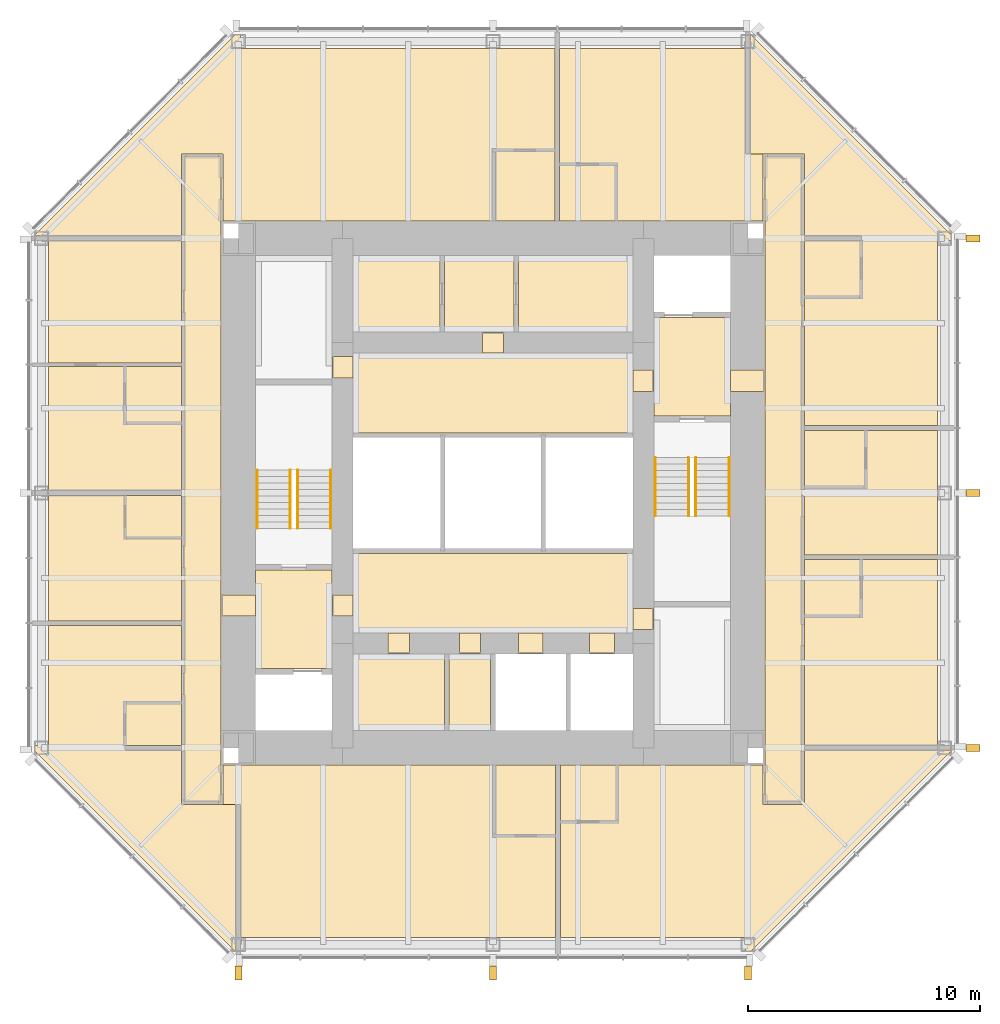
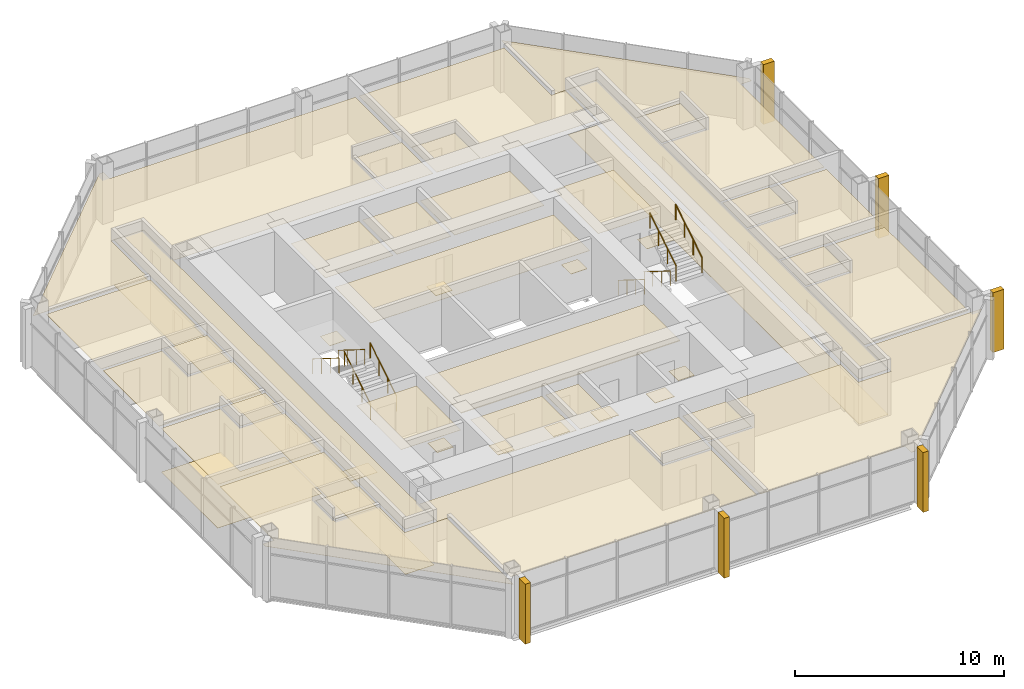
# One storey, part 11 of 11: 52 coverings, 8 railings.
"""IFC4 building model written with IfcOpenShell, lengths in metres."""

from ifc_helpers import new_model, si_unit, direction, frame, origin, origin_2d, place, context, subcontext, project, spatial, polyline, rectangle, circle, outline, extrude, material, layer, layer_set, type_object, element, save


model = new_model("IFC4")

# Units and contexts
model_context = context("Model", 3, precision=1e-05, world=origin(), true_north=direction((0.0, 1.0)))
body_context = subcontext(model_context, "Body", "Model", "MODEL_VIEW")
ifc_project = project(units=[si_unit("LENGTHUNIT", "METRE"), si_unit("AREAUNIT", "SQUARE_METRE"), si_unit("VOLUMEUNIT", "CUBIC_METRE"), si_unit("PLANEANGLEUNIT", "RADIAN"), si_unit("MASSUNIT", "GRAM", prefix="KILO")], contexts=[model_context])

# Site, building, storey
site_placement = place(None, origin())
site = spatial("IfcSite", under=ifc_project, at=site_placement, CompositionType="ELEMENT")
building_placement = place(site_placement, origin())
building = spatial("IfcBuilding", under=site, at=building_placement, Name="Trevanion Tower", CompositionType="ELEMENT")
storey_placement = place(building_placement, frame((0.0, 0.0, 246.699951171875)))
storey = spatial("IfcBuildingStorey", under=building, at=storey_placement, Name="L60", CompositionType="ELEMENT", Elevation=246.699951171875)

# Coverings
ifc_material_1 = material(Name="Fibrous plaster coffers on suspended steel grid", Category="steel")
ifc_layer_1 = layer(ifc_material_1, 0.050048828125)
ifc_layer_set_1 = layer_set([ifc_layer_1], Name="CL1 coffered fibrous plaster ceiling 50")
covering_type_1 = type_object("IfcCoveringType", Name="CL1 coffered fibrous plaster ceiling 50", PredefinedType="CEILING", material=ifc_layer_set_1)
covering_1_placement = place(storey_placement, frame((0.0, 0.0, 2.429931640625)))
element("IfcCovering", 1, at=covering_1_placement, inside=storey, type_object=covering_type_1, Name="CL1 L60-LBS", PredefinedType="CEILING", context=body_context, shape_type="SweptSolid", body=[
    extrude(outline(polyline([(6.050048828125, -6.050048828125), (6.050048828125, -2.60009765625), (-6.050048828125, -2.60009765625), (-6.050048828125, -6.050048828125), (6.050048828125, -6.050048828125)])), origin(), (0.0, 0.0, 1.0), 0.050048828125),
])
ifc_material_2 = material(Name="Mineral fibre acoustic tiles in exposed grid", Category="mineral fibre")
ifc_layer_2 = layer(ifc_material_2, 0.02001953125)
ifc_layer_set_2 = layer_set([ifc_layer_2], Name="CL2 acoustic tile ceiling 20")
covering_type_2 = type_object("IfcCoveringType", Name="CL2 acoustic tile ceiling 20", PredefinedType="CEILING", material=ifc_layer_set_2)
covering_2_placement = place(storey_placement, frame((0.0, 0.0, 2.4599609375)))
element("IfcCovering", 2, at=covering_2_placement, inside=storey, type_object=covering_type_2, Name="CL2 L60-LBN", PredefinedType="CEILING", context=body_context, shape_type="SweptSolid", body=[
    extrude(outline(polyline([(6.050048828125, 2.60009765625), (6.050048828125, 6.050048828125), (-6.050048828125, 6.050048828125), (-6.050048828125, 2.60009765625), (6.050048828125, 2.60009765625)])), origin(), (0.0, 0.0, 1.0), 0.02001953125),
])
covering_3_placement = place(storey_placement, frame((0.0, 0.0, 2.4599609375)))
element("IfcCovering", 3, at=covering_3_placement, inside=storey, type_object=covering_type_2, Name="CL2 L60-HKC", PredefinedType="CEILING", context=body_context, shape_type="SweptSolid", body=[
    extrude(outline(polyline([(0.89990234375, 6.949951171875), (0.89990234375, 10.25), (-2.10009765625, 10.25), (-2.10009765625, 6.949951171875), (0.89990234375, 6.949951171875)])), origin(), (0.0, 0.0, 1.0), 0.02001953125),
])
covering_4_placement = place(storey_placement, frame((0.0, 0.0, 2.633056640625)))
element("IfcCovering", 4, at=covering_4_placement, inside=storey, type_object=covering_type_2, Name="CL2 L60-CO1", PredefinedType="CEILING", context=body_context, shape_type="SweptSolid", body=[
    extrude(outline(polyline([(-11.75, 14.550048828125), (-11.75, -13.35009765625), (-13.35009765625, -13.35009765625), (-13.35009765625, 14.550048828125), (-11.75, 14.550048828125)])), origin(), (0.0, 0.0, 1.0), 0.02001953125),
])
covering_5_placement = place(storey_placement, frame((0.0, 0.0, 2.633056640625)))
element("IfcCovering", 5, at=covering_5_placement, inside=storey, type_object=covering_type_2, Name="CL2 L60-CO2", PredefinedType="CEILING", context=body_context, shape_type="SweptSolid", body=[
    extrude(outline(polyline([(11.75, -13.35009765625), (11.75, 14.550048828125), (13.35009765625, 14.550048828125), (13.35009765625, -13.35009765625), (11.75, -13.35009765625)])), origin(), (0.0, 0.0, 1.0), 0.02001953125),
])
ifc_material_3 = material(Name="Gypsum plasterboard on suspended metal furring", Category="gypsum")
ifc_layer_3 = layer(ifc_material_3, 0.012939453125)
ifc_layer_set_3 = layer_set([ifc_layer_3], Name="CL3 plasterboard ceiling 13")
covering_type_3 = type_object("IfcCoveringType", Name="CL3 plasterboard ceiling 13", PredefinedType="CEILING", material=ifc_layer_set_3)
covering_6_placement = place(storey_placement, frame((0.0, 0.0, 2.699951171875)))
element("IfcCovering", 6, at=covering_6_placement, inside=storey, type_object=covering_type_3, Name="CL3 L60-FV1", PredefinedType="CEILING", context=body_context, shape_type="SweptSolid", body=[
    extrude(outline(polyline([(10.25, 3.324951171875), (10.25, 7.574951171875), (6.949951171875, 7.574951171875), (6.949951171875, 3.324951171875), (10.25, 3.324951171875)])), origin(), (0.0, 0.0, 1.0), 0.01318359375),
])
covering_7_placement = place(storey_placement, frame((0.0, 0.0, 2.699951171875)))
element("IfcCovering", 7, at=covering_7_placement, inside=storey, type_object=covering_type_3, Name="CL3 L60-FV2", PredefinedType="CEILING", context=body_context, shape_type="SweptSolid", body=[
    extrude(outline(polyline([(-10.25, -3.324951171875), (-10.25, -7.574951171875), (-6.949951171875, -7.574951171875), (-6.949951171875, -3.324951171875), (-10.25, -3.324951171875)])), origin(), (0.0, 0.0, 1.0), 0.01318359375),
])
covering_8_placement = place(storey_placement, frame((0.0, 0.0, 2.551025390625)))
element("IfcCovering", 8, at=covering_8_placement, inside=storey, type_object=covering_type_3, Name="CL3 L60-GJ", PredefinedType="CEILING", context=body_context, shape_type="SweptSolid", body=[
    extrude(outline(polyline([(13.449951171875, -5.324951171875), (15.89990234375, -5.324951171875), (15.89990234375, -2.875), (19.199951171875, -2.875), (19.199951171875, -10.89990234375), (13.449951171875, -10.89990234375), (13.449951171875, -5.324951171875)])), origin(), (0.0, 0.0, 1.0), 0.012939453125),
])
covering_9_placement = place(storey_placement, frame((0.0, 0.0, 2.551025390625)))
element("IfcCovering", 9, at=covering_9_placement, inside=storey, type_object=covering_type_3, Name="CL3 L60-GA", PredefinedType="CEILING", context=body_context, shape_type="SweptSolid", body=[
    extrude(outline(polyline([(13.449951171875, 0.257080078125), (16.10009765625, 0.257080078125), (16.10009765625, 2.70703125), (19.199951171875, 2.70703125), (19.199951171875, -2.675048828125), (13.449951171875, -2.675048828125), (13.449951171875, 0.257080078125)])), origin(), (0.0, 0.0, 1.0), 0.012939453125),
])
covering_10_placement = place(storey_placement, frame((0.0, 0.0, 2.551025390625)))
element("IfcCovering", 10, at=covering_10_placement, inside=storey, type_object=covering_type_3, Name="CL3 L60-GJ2", PredefinedType="CEILING", context=body_context, shape_type="SweptSolid", body=[
    extrude(outline(polyline([(11.10009765625, 14.64990234375), (11.10009765625, 19.800048828125), (11.124267578125, 19.800048828125), (19.800048828125, 11.124267578125), (19.800048828125, 10.89990234375), (19.199951171875, 10.89990234375), (19.199951171875, 2.906982421875), (13.449951171875, 2.906982421875), (13.449951171875, 8.449951171875), (15.89990234375, 8.449951171875), (15.89990234375, 10.949951171875), (13.449951171875, 10.949951171875), (13.449951171875, 14.64990234375), (11.10009765625, 14.64990234375)])), origin(), (0.0, 0.0, 1.0), 0.012939453125),
])
covering_11_placement = place(storey_placement, frame((0.0, 0.0, 2.551025390625)))
element("IfcCovering", 11, at=covering_11_placement, inside=storey, type_object=covering_type_3, Name="CL3 L60-GJ3", PredefinedType="CEILING", context=body_context, shape_type="SweptSolid", body=[
    extrude(outline(polyline([(2.875, 19.199951171875), (10.89990234375, 19.199951171875), (10.89990234375, 14.64990234375), (11.64990234375, 14.64990234375), (11.64990234375, 11.75), (5.324951171875, 11.75), (5.324951171875, 14.199951171875), (2.875, 14.199951171875), (2.875, 19.199951171875)])), origin(), (0.0, 0.0, 1.0), 0.012939453125),
])
covering_12_placement = place(storey_placement, frame((0.0, 0.0, 2.551025390625)))
element("IfcCovering", 12, at=covering_12_placement, inside=storey, type_object=covering_type_3, Name="CL3 L60-GY", PredefinedType="CEILING", context=body_context, shape_type="SweptSolid", body=[
    extrude(outline(polyline([(-13.449951171875, 11.10009765625), (-19.800048828125, 11.10009765625), (-19.800048828125, 11.124267578125), (-11.124267578125, 19.800048828125), (-10.89990234375, 19.800048828125), (-10.89990234375, 19.199951171875), (2.675048828125, 19.199951171875), (2.675048828125, 14.800048828125), (0.02490234375, 14.800048828125), (0.02490234375, 11.75), (-11.64990234375, 11.75), (-11.64990234375, 14.64990234375), (-13.449951171875, 14.64990234375), (-13.449951171875, 11.10009765625)])), origin(), (0.0, 0.0, 1.0), 0.012939453125),
])
covering_13_placement = place(storey_placement, frame((0.0, 0.0, 2.551025390625)))
element("IfcCovering", 13, at=covering_13_placement, inside=storey, type_object=covering_type_3, Name="CL3 L60-SL", PredefinedType="CEILING", context=body_context, shape_type="SweptSolid", body=[
    extrude(outline(polyline([(-13.449951171875, 10.89990234375), (-13.449951171875, 5.6240234375), (-19.199951171875, 5.6240234375), (-19.199951171875, 10.89990234375), (-13.449951171875, 10.89990234375)])), origin(), (0.0, 0.0, 1.0), 0.012939453125),
])
covering_14_placement = place(storey_placement, frame((0.0, 0.0, 2.551025390625)))
element("IfcCovering", 14, at=covering_14_placement, inside=storey, type_object=covering_type_3, Name="CL3 L60-SB", PredefinedType="CEILING", context=body_context, shape_type="SweptSolid", body=[
    extrude(outline(polyline([(-13.449951171875, 0.10009765625), (-19.199951171875, 0.10009765625), (-19.199951171875, 5.47412109375), (-15.89990234375, 5.47412109375), (-15.89990234375, 3.02392578125), (-13.449951171875, 3.02392578125), (-13.449951171875, 0.10009765625)])), origin(), (0.0, 0.0, 1.0), 0.012939453125),
])
covering_15_placement = place(storey_placement, frame((0.0, 0.0, 2.551025390625)))
element("IfcCovering", 15, at=covering_15_placement, inside=storey, type_object=covering_type_3, Name="CL3 L60-GR", PredefinedType="CEILING", context=body_context, shape_type="SweptSolid", body=[
    extrude(outline(polyline([(-13.449951171875, -5.513916015625), (-19.199951171875, -5.513916015625), (-19.199951171875, -0.10009765625), (-15.89990234375, -0.10009765625), (-15.89990234375, -1.949951171875), (-13.449951171875, -1.949951171875), (-13.449951171875, -5.513916015625)])), origin(), (0.0, 0.0, 1.0), 0.012939453125),
])
covering_16_placement = place(storey_placement, frame((0.0, 0.0, 2.551025390625)))
element("IfcCovering", 16, at=covering_16_placement, inside=storey, type_object=covering_type_3, Name="CL3 L60-GR2", PredefinedType="CEILING", context=body_context, shape_type="SweptSolid", body=[
    extrude(outline(polyline([(-11.10009765625, -13.449951171875), (-11.10009765625, -19.800048828125), (-11.124267578125, -19.800048828125), (-19.800048828125, -11.124267578125), (-19.800048828125, -10.89990234375), (-19.199951171875, -10.89990234375), (-19.199951171875, -5.714111328125), (-13.449951171875, -5.714111328125), (-13.449951171875, -9.050048828125), (-15.89990234375, -9.050048828125), (-15.89990234375, -10.949951171875), (-13.449951171875, -10.949951171875), (-13.449951171875, -13.449951171875), (-11.10009765625, -13.449951171875)])), origin(), (0.0, 0.0, 1.0), 0.012939453125),
])
covering_17_placement = place(storey_placement, frame((0.0, 0.0, 2.551025390625)))
element("IfcCovering", 17, at=covering_17_placement, inside=storey, type_object=covering_type_3, Name="CL3 L60-GY2", PredefinedType="CEILING", context=body_context, shape_type="SweptSolid", body=[
    extrude(outline(polyline([(2.70703125, -19.199951171875), (-10.89990234375, -19.199951171875), (-10.89990234375, -13.449951171875), (-11.64990234375, -13.449951171875), (-11.64990234375, -11.75), (0.056884765625, -11.75), (0.056884765625, -14.800048828125), (2.70703125, -14.800048828125), (2.70703125, -19.199951171875)])), origin(), (0.0, 0.0, 1.0), 0.012939453125),
])
covering_18_placement = place(storey_placement, frame((0.0, 0.0, 2.551025390625)))
element("IfcCovering", 18, at=covering_18_placement, inside=storey, type_object=covering_type_3, Name="CL3 L60-GJ4", PredefinedType="CEILING", context=body_context, shape_type="SweptSolid", body=[
    extrude(outline(polyline([(13.449951171875, -11.10009765625), (19.800048828125, -11.10009765625), (19.800048828125, -11.124267578125), (11.124267578125, -19.800048828125), (10.89990234375, -19.800048828125), (10.89990234375, -19.199951171875), (2.906982421875, -19.199951171875), (2.906982421875, -14.199951171875), (5.35693359375, -14.199951171875), (5.35693359375, -11.75), (11.64990234375, -11.75), (11.64990234375, -13.449951171875), (13.449951171875, -13.449951171875), (13.449951171875, -11.10009765625)])), origin(), (0.0, 0.0, 1.0), 0.012939453125),
])
ifc_material_4 = material(Name="Moisture-resistant gypsum board on suspended metal furring", Category="gypsum")
ifc_layer_4 = layer(ifc_material_4, 0.01611328125)
ifc_layer_set_4 = layer_set([ifc_layer_4], Name="CL4 moisture-resistant board ceiling 16")
covering_type_4 = type_object("IfcCoveringType", Name="CL4 moisture-resistant board ceiling 16", PredefinedType="CEILING", material=ifc_layer_set_4)
covering_19_placement = place(storey_placement, frame((0.0, 0.0, 2.60009765625)))
element("IfcCovering", 19, at=covering_19_placement, inside=storey, type_object=covering_type_4, Name="CL4 L60-SI1", PredefinedType="CEILING", context=body_context, shape_type="SweptSolid", body=[
    extrude(outline(polyline([(-2.10009765625, -10.25), (-2.10009765625, -6.949951171875), (-6.050048828125, -6.949951171875), (-6.050048828125, -10.25), (-2.10009765625, -10.25)])), origin(), (0.0, 0.0, 1.0), 0.015869140625),
])
covering_20_placement = place(storey_placement, frame((0.0, 0.0, 2.60009765625)))
element("IfcCovering", 20, at=covering_20_placement, inside=storey, type_object=covering_type_4, Name="CL4 L60-SI2", PredefinedType="CEILING", context=body_context, shape_type="SweptSolid", body=[
    extrude(outline(polyline([(-0.10009765625, -10.25), (-0.10009765625, -6.949951171875), (-1.89990234375, -6.949951171875), (-1.89990234375, -10.25), (-0.10009765625, -10.25)])), origin(), (0.0, 0.0, 1.0), 0.015869140625),
])
covering_21_placement = place(storey_placement, frame((0.0, 0.0, 2.464111328125)))
element("IfcCovering", 21, at=covering_21_placement, inside=storey, type_object=covering_type_4, Name="CL4 L60-HK", PredefinedType="CEILING", context=body_context, shape_type="SweptSolid", body=[
    extrude(outline(polyline([(-2.300048828125, 6.949951171875), (-2.300048828125, 10.25), (-6.050048828125, 10.25), (-6.050048828125, 6.949951171875), (-2.300048828125, 6.949951171875)])), origin(), (0.0, 0.0, 1.0), 0.015869140625),
])
covering_22_placement = place(storey_placement, frame((0.0, 0.0, 2.464111328125)))
element("IfcCovering", 22, at=covering_22_placement, inside=storey, type_object=covering_type_4, Name="CL4 L60-HKL", PredefinedType="CEILING", context=body_context, shape_type="SweptSolid", body=[
    extrude(outline(polyline([(6.050048828125, 6.949951171875), (6.050048828125, 10.25), (1.10009765625, 10.25), (1.10009765625, 6.949951171875), (6.050048828125, 6.949951171875)])), origin(), (0.0, 0.0, 1.0), 0.015869140625),
])
covering_23_placement = place(storey_placement, frame((0.0, 0.0, 2.60009765625)))
element("IfcCovering", 23, at=covering_23_placement, inside=storey, type_object=covering_type_4, Name="CL4 L60-EN", PredefinedType="CEILING", context=body_context, shape_type="SweptSolid", body=[
    extrude(outline(polyline([(15.85009765625, -5.27490234375), (15.85009765625, -2.875), (13.449951171875, -2.875), (13.449951171875, -5.27490234375), (15.85009765625, -5.27490234375)])), origin(), (0.0, 0.0, 1.0), 0.015869140625),
])
covering_24_placement = place(storey_placement, frame((0.0, 0.0, 2.60009765625)))
element("IfcCovering", 24, at=covering_24_placement, inside=storey, type_object=covering_type_4, Name="CL4 L60-EN2", PredefinedType="CEILING", context=body_context, shape_type="SweptSolid", body=[
    extrude(outline(polyline([(16.050048828125, 0.306884765625), (16.050048828125, 2.70703125), (13.449951171875, 2.70703125), (13.449951171875, 0.306884765625), (16.050048828125, 0.306884765625)])), origin(), (0.0, 0.0, 1.0), 0.015869140625),
])
covering_25_placement = place(storey_placement, frame((0.0, 0.0, 2.60009765625)))
element("IfcCovering", 25, at=covering_25_placement, inside=storey, type_object=covering_type_4, Name="CL4 L60-EN3", PredefinedType="CEILING", context=body_context, shape_type="SweptSolid", body=[
    extrude(outline(polyline([(15.85009765625, 8.5), (15.85009765625, 10.89990234375), (13.449951171875, 10.89990234375), (13.449951171875, 8.5), (15.85009765625, 8.5)])), origin(), (0.0, 0.0, 1.0), 0.015869140625),
])
covering_26_placement = place(storey_placement, frame((0.0, 0.0, 2.60009765625)))
element("IfcCovering", 26, at=covering_26_placement, inside=storey, type_object=covering_type_4, Name="CL4 L60-EN4", PredefinedType="CEILING", context=body_context, shape_type="SweptSolid", body=[
    extrude(outline(polyline([(5.27490234375, 14.14990234375), (2.875, 14.14990234375), (2.875, 11.75), (5.27490234375, 11.75), (5.27490234375, 14.14990234375)])), origin(), (0.0, 0.0, 1.0), 0.015869140625),
])
covering_27_placement = place(storey_placement, frame((0.0, 0.0, 2.60009765625)))
element("IfcCovering", 27, at=covering_27_placement, inside=storey, type_object=covering_type_4, Name="CL4 L60-EN5", PredefinedType="CEILING", context=body_context, shape_type="SweptSolid", body=[
    extrude(outline(polyline([(2.675048828125, 14.75), (0.074951171875, 14.75), (0.074951171875, 11.75), (2.675048828125, 11.75), (2.675048828125, 14.75)])), origin(), (0.0, 0.0, 1.0), 0.015869140625),
])
covering_28_placement = place(storey_placement, frame((0.0, 0.0, 2.60009765625)))
element("IfcCovering", 28, at=covering_28_placement, inside=storey, type_object=covering_type_4, Name="CL4 L60-SN", PredefinedType="CEILING", context=body_context, shape_type="SweptSolid", body=[
    extrude(outline(polyline([(-15.85009765625, 5.47412109375), (-15.85009765625, 3.073974609375), (-13.449951171875, 3.073974609375), (-13.449951171875, 5.47412109375), (-15.85009765625, 5.47412109375)])), origin(), (0.0, 0.0, 1.0), 0.015869140625),
])
covering_29_placement = place(storey_placement, frame((0.0, 0.0, 2.60009765625)))
element("IfcCovering", 29, at=covering_29_placement, inside=storey, type_object=covering_type_4, Name="CL4 L60-EN6", PredefinedType="CEILING", context=body_context, shape_type="SweptSolid", body=[
    extrude(outline(polyline([(-15.85009765625, -0.10009765625), (-15.85009765625, -1.89990234375), (-13.449951171875, -1.89990234375), (-13.449951171875, -0.10009765625), (-15.85009765625, -0.10009765625)])), origin(), (0.0, 0.0, 1.0), 0.015869140625),
])
covering_30_placement = place(storey_placement, frame((0.0, 0.0, 2.60009765625)))
element("IfcCovering", 30, at=covering_30_placement, inside=storey, type_object=covering_type_4, Name="CL4 L60-EN7", PredefinedType="CEILING", context=body_context, shape_type="SweptSolid", body=[
    extrude(outline(polyline([(-15.85009765625, -9.10009765625), (-15.85009765625, -10.89990234375), (-13.449951171875, -10.89990234375), (-13.449951171875, -9.10009765625), (-15.85009765625, -9.10009765625)])), origin(), (0.0, 0.0, 1.0), 0.015869140625),
])
covering_31_placement = place(storey_placement, frame((0.0, 0.0, 2.60009765625)))
element("IfcCovering", 31, at=covering_31_placement, inside=storey, type_object=covering_type_4, Name="CL4 L60-EN8", PredefinedType="CEILING", context=body_context, shape_type="SweptSolid", body=[
    extrude(outline(polyline([(0.10693359375, -14.75), (2.70703125, -14.75), (2.70703125, -11.75), (0.10693359375, -11.75), (0.10693359375, -14.75)])), origin(), (0.0, 0.0, 1.0), 0.015869140625),
])
covering_32_placement = place(storey_placement, frame((0.0, 0.0, 2.60009765625)))
element("IfcCovering", 32, at=covering_32_placement, inside=storey, type_object=covering_type_4, Name="CL4 L60-EN9", PredefinedType="CEILING", context=body_context, shape_type="SweptSolid", body=[
    extrude(outline(polyline([(2.906982421875, -14.14990234375), (5.306884765625, -14.14990234375), (5.306884765625, -11.75), (2.906982421875, -11.75), (2.906982421875, -14.14990234375)])), origin(), (0.0, 0.0, 1.0), 0.015869140625),
])
ifc_material_5 = material(Name="Cast bronze fin on aluminium carrier", Category="aluminium")
covering_type_5 = type_object("IfcCoveringType", Name="F1 bronze fin", PredefinedType="CLADDING", material=ifc_material_5)
for number, where, z_axis, x_axis, name in (
    (33, (20.72509765625, -11.0, -0.18994140625), (0.0, 0.0, 1.0), (0.0, 1.0, 0.0), "F1 L60 east -11.0"),
    (34, (20.72509765625, 0.0, -0.18994140625), (0.0, 0.0, 1.0), (0.0, 1.0, 0.0), "F1 L60 east +0.0"),
    (35, (20.72509765625, 11.0, -0.18994140625), (0.0, 0.0, 1.0), (0.0, 1.0, 0.0), "F1 L60 east +11.0"),
    (36, (-11.0, -20.72509765625, -0.18994140625), (0.0, 0.0, 1.0), (1.0, 0.0, 0.0), "F1 L60 south -11.0"),
    (37, (0.0, -20.72509765625, -0.18994140625), (0.0, 0.0, 1.0), (1.0, 0.0, 0.0), "F1 L60 south +0.0"),
    (38, (11.0, -20.72509765625, -0.18994140625), (0.0, 0.0, 1.0), (1.0, 0.0, 0.0), "F1 L60 south +11.0"),
):
    element("IfcCovering", number, at=place(storey_placement, frame(where, z_axis=z_axis, x_axis=x_axis)), inside=storey, type_object=covering_type_5, Name=name, PredefinedType="CLADDING", context=body_context, shape_type="SweptSolid", body=[
        extrude(rectangle(XDim=0.300048828125, YDim=0.60009765625, at=origin_2d()), origin(), (0.0, 0.0, 1.0), 3.5),
    ])
ifc_material_6 = material(Name="Terrazzo, brass divider strips", Category="stone")
ifc_layer_5 = layer(ifc_material_6, 0.02001953125)
ifc_layer_set_5 = layer_set([ifc_layer_5], Name="FF1 terrazzo flooring")
covering_type_6 = type_object("IfcCoveringType", Name="FF1 terrazzo flooring", PredefinedType="FLOORING", material=ifc_layer_set_5)
covering_33_placement = place(storey_placement, origin())
element("IfcCovering", 39, at=covering_33_placement, inside=storey, type_object=covering_type_6, Name="FF1 threshold 60-001", PredefinedType="FLOORING", context=body_context, shape_type="SweptSolid", body=[
    extrude(outline(polyline([(11.75, 4.392578125), (11.75, 5.3076171875), (10.25, 5.3076171875), (10.25, 4.392578125), (11.75, 4.392578125)])), origin(), (0.0, 0.0, 1.0), 0.02001953125),
])
covering_34_placement = place(storey_placement, origin())
element("IfcCovering", 40, at=covering_34_placement, inside=storey, type_object=covering_type_6, Name="FF1 threshold 60-002", PredefinedType="FLOORING", context=body_context, shape_type="SweptSolid", body=[
    extrude(outline(polyline([(-11.75, -4.392578125), (-11.75, -5.3076171875), (-10.25, -5.3076171875), (-10.25, -4.392578125), (-11.75, -4.392578125)])), origin(), (0.0, 0.0, 1.0), 0.02001953125),
])
covering_35_placement = place(storey_placement, origin())
element("IfcCovering", 41, at=covering_35_placement, inside=storey, type_object=covering_type_6, Name="FF1 threshold 60-003", PredefinedType="FLOORING", context=body_context, shape_type="SweptSolid", body=[
    extrude(outline(polyline([(6.949951171875, 4.392578125), (6.949951171875, 5.3076171875), (6.050048828125, 5.3076171875), (6.050048828125, 4.392578125), (6.949951171875, 4.392578125)])), origin(), (0.0, 0.0, 1.0), 0.02001953125),
])
covering_36_placement = place(storey_placement, origin())
element("IfcCovering", 42, at=covering_36_placement, inside=storey, type_object=covering_type_6, Name="FF1 threshold 60-004", PredefinedType="FLOORING", context=body_context, shape_type="SweptSolid", body=[
    extrude(outline(polyline([(-6.949951171875, -4.392578125), (-6.949951171875, -5.3076171875), (-6.050048828125, -5.3076171875), (-6.050048828125, -4.392578125), (-6.949951171875, -4.392578125)])), origin(), (0.0, 0.0, 1.0), 0.02001953125),
])
covering_37_placement = place(storey_placement, origin())
element("IfcCovering", 43, at=covering_37_placement, inside=storey, type_object=covering_type_6, Name="FF1 threshold 60-009", PredefinedType="FLOORING", context=body_context, shape_type="SweptSolid", body=[
    extrude(outline(polyline([(6.949951171875, -5.889892578125), (6.949951171875, -4.97509765625), (6.050048828125, -4.97509765625), (6.050048828125, -5.889892578125), (6.949951171875, -5.889892578125)])), origin(), (0.0, 0.0, 1.0), 0.02001953125),
])
covering_38_placement = place(storey_placement, origin())
element("IfcCovering", 44, at=covering_38_placement, inside=storey, type_object=covering_type_6, Name="FF1 threshold 60-010", PredefinedType="FLOORING", context=body_context, shape_type="SweptSolid", body=[
    extrude(outline(polyline([(-6.949951171875, 5.889892578125), (-6.949951171875, 4.97509765625), (-6.050048828125, 4.97509765625), (-6.050048828125, 5.889892578125), (-6.949951171875, 5.889892578125)])), origin(), (0.0, 0.0, 1.0), 0.02001953125),
])
covering_39_placement = place(storey_placement, origin())
element("IfcCovering", 45, at=covering_39_placement, inside=storey, type_object=covering_type_6, Name="FF1 threshold 60-011", PredefinedType="FLOORING", context=body_context, shape_type="SweptSolid", body=[
    extrude(outline(polyline([(1.091552734375, -6.949951171875), (2.158447265625, -6.949951171875), (2.158447265625, -6.050048828125), (1.091552734375, -6.050048828125), (1.091552734375, -6.949951171875)])), origin(), (0.0, 0.0, 1.0), 0.02001953125),
])
covering_40_placement = place(storey_placement, origin())
element("IfcCovering", 46, at=covering_40_placement, inside=storey, type_object=covering_type_6, Name="FF1 threshold 60-012", PredefinedType="FLOORING", context=body_context, shape_type="SweptSolid", body=[
    extrude(outline(polyline([(4.16650390625, -6.949951171875), (5.2333984375, -6.949951171875), (5.2333984375, -6.050048828125), (4.16650390625, -6.050048828125), (4.16650390625, -6.949951171875)])), origin(), (0.0, 0.0, 1.0), 0.02001953125),
])
covering_41_placement = place(storey_placement, origin())
element("IfcCovering", 47, at=covering_41_placement, inside=storey, type_object=covering_type_6, Name="FF1 threshold 60-013", PredefinedType="FLOORING", context=body_context, shape_type="SweptSolid", body=[
    extrude(outline(polyline([(-4.532470703125, -6.949951171875), (-3.617431640625, -6.949951171875), (-3.617431640625, -6.050048828125), (-4.532470703125, -6.050048828125), (-4.532470703125, -6.949951171875)])), origin(), (0.0, 0.0, 1.0), 0.02001953125),
])
covering_42_placement = place(storey_placement, origin())
element("IfcCovering", 48, at=covering_42_placement, inside=storey, type_object=covering_type_6, Name="FF1 threshold 60-014", PredefinedType="FLOORING", context=body_context, shape_type="SweptSolid", body=[
    extrude(outline(polyline([(-1.45751953125, -6.949951171875), (-0.54248046875, -6.949951171875), (-0.54248046875, -6.050048828125), (-1.45751953125, -6.050048828125), (-1.45751953125, -6.949951171875)])), origin(), (0.0, 0.0, 1.0), 0.02001953125),
])
covering_43_placement = place(storey_placement, origin())
element("IfcCovering", 49, at=covering_43_placement, inside=storey, type_object=covering_type_6, Name="FF1 threshold 60-015", PredefinedType="FLOORING", context=body_context, shape_type="SweptSolid", body=[
    extrude(outline(polyline([(0.45751953125, 6.949951171875), (-0.45751953125, 6.949951171875), (-0.45751953125, 6.050048828125), (0.45751953125, 6.050048828125), (0.45751953125, 6.949951171875)])), origin(), (0.0, 0.0, 1.0), 0.02001953125),
])
ifc_material_7 = material(Name="Wool carpet on underlay", Category="textile")
ifc_layer_6 = layer(ifc_material_7, 0.011962890625)
ifc_layer_set_6 = layer_set([ifc_layer_6], Name="FF2 carpet flooring")
covering_type_7 = type_object("IfcCoveringType", Name="FF2 carpet flooring", PredefinedType="FLOORING", material=ifc_layer_set_6)
covering_44_placement = place(storey_placement, origin())
element("IfcCovering", 50, at=covering_44_placement, inside=storey, type_object=covering_type_7, Name="FF2 L60-CO1", PredefinedType="FLOORING", context=body_context, shape_type="SweptSolid", body=[
    extrude(outline(polyline([(-11.75, 14.550048828125), (-11.75, -13.35009765625), (-13.35009765625, -13.35009765625), (-13.35009765625, 14.550048828125), (-11.75, 14.550048828125)])), origin(), (0.0, 0.0, 1.0), 0.011962890625),
])
covering_45_placement = place(storey_placement, origin())
element("IfcCovering", 51, at=covering_45_placement, inside=storey, type_object=covering_type_7, Name="FF2 L60-CO2", PredefinedType="FLOORING", context=body_context, shape_type="SweptSolid", body=[
    extrude(outline(polyline([(11.75, -13.35009765625), (11.75, 14.550048828125), (13.35009765625, 14.550048828125), (13.35009765625, -13.35009765625), (11.75, -13.35009765625)])), origin(), (0.0, 0.0, 1.0), 0.011962890625),
])
covering_46_placement = place(storey_placement, origin())
element("IfcCovering", 52, at=covering_46_placement, inside=storey, type_object=covering_type_7, Name="FF2 L60-GR", PredefinedType="FLOORING", context=body_context, shape_type="SweptSolid", body=[
    extrude(outline(polyline([(-13.449951171875, -5.513916015625), (-19.199951171875, -5.513916015625), (-19.199951171875, -0.10009765625), (-15.89990234375, -0.10009765625), (-15.89990234375, -1.949951171875), (-13.449951171875, -1.949951171875), (-13.449951171875, -5.513916015625)])), origin(), (0.0, 0.0, 1.0), 0.011962890625),
])

# Railings
ifc_material_8 = material(Name="Stainless steel tube 40 mm", Category="steel")
railing_type = type_object("IfcRailingType", Name="HR1 handrail", PredefinedType="HANDRAIL", material=ifc_material_8)
for number, where, name in (
    (53, (7.010009765625, 1.52490234375, 0.175048828125), "HR1 ST1 L60 flight 1"),
    (54, (8.43994140625, 1.52490234375, 0.175048828125), "HR1 ST1 L60 flight 1"),
):
    element("IfcRailing", number, at=place(storey_placement, frame(where)), inside=storey, type_object=railing_type, Name=name, PredefinedType="HANDRAIL", context=body_context, shape_type="SweptSolid", body=[
        extrude(circle(Radius=0.02001953125, at=origin_2d()), frame((0.0, 0.0, 0.8798828125), z_axis=(0.0, -0.848007534815, 0.529984170421), x_axis=(1.0, 0.0, 0.0)), (0.0, 0.0, 1.0), 2.9716796875),
        extrude(circle(Radius=0.01513671875, at=origin_2d()), origin(), (0.0, 0.0, 1.0), 0.85986328125),
        extrude(circle(Radius=0.01513671875, at=origin_2d()), frame((0.0, -0.840087890625, 0.52490234375)), (0.0, 0.0, 1.0), 0.85986328125),
        extrude(circle(Radius=0.01513671875, at=origin_2d()), frame((0.0, -1.679931640625, 1.050048828125)), (0.0, 0.0, 1.0), 0.85986328125),
        extrude(circle(Radius=0.01513671875, at=origin_2d()), frame((0.0, -2.52001953125, 1.574951171875)), (0.0, 0.0, 1.0), 0.85986328125),
    ])
for number, where, name in (
    (55, (8.760009765625, -0.9951171875, 1.925048828125), "HR1 ST1 L60 flight 2"),
    (56, (10.18994140625, -0.9951171875, 1.925048828125), "HR1 ST1 L60 flight 2"),
    (57, (-7.010009765625, -1.52490234375, 0.175048828125), "HR1 ST2 L60 flight 1"),
    (58, (-8.43994140625, -1.52490234375, 0.175048828125), "HR1 ST2 L60 flight 1"),
):
    element("IfcRailing", number, at=place(storey_placement, frame(where)), inside=storey, type_object=railing_type, Name=name, PredefinedType="HANDRAIL", context=body_context, shape_type="SweptSolid", body=[
        extrude(circle(Radius=0.02001953125, at=origin_2d()), frame((0.0, 0.0, 0.8798828125), z_axis=(0.0, 0.848007534815, 0.529984170421), x_axis=(-1.0, 0.0, 0.0)), (0.0, 0.0, 1.0), 2.9716796875),
        extrude(circle(Radius=0.01513671875, at=origin_2d()), origin(), (0.0, 0.0, 1.0), 0.85986328125),
        extrude(circle(Radius=0.01513671875, at=origin_2d()), frame((0.0, 0.840087890625, 0.52490234375)), (0.0, 0.0, 1.0), 0.85986328125),
        extrude(circle(Radius=0.01513671875, at=origin_2d()), frame((0.0, 1.679931640625, 1.050048828125)), (0.0, 0.0, 1.0), 0.85986328125),
        extrude(circle(Radius=0.01513671875, at=origin_2d()), frame((0.0, 2.52001953125, 1.574951171875)), (0.0, 0.0, 1.0), 0.85986328125),
    ])
for number, where, name in (
    (59, (-8.760009765625, 0.9951171875, 1.925048828125), "HR1 ST2 L60 flight 2"),
    (60, (-10.18994140625, 0.9951171875, 1.925048828125), "HR1 ST2 L60 flight 2"),
):
    element("IfcRailing", number, at=place(storey_placement, frame(where)), inside=storey, type_object=railing_type, Name=name, PredefinedType="HANDRAIL", context=body_context, shape_type="SweptSolid", body=[
        extrude(circle(Radius=0.02001953125, at=origin_2d()), frame((0.0, 0.0, 0.8798828125), z_axis=(0.0, -0.848007534815, 0.529984170421), x_axis=(1.0, 0.0, 0.0)), (0.0, 0.0, 1.0), 2.9716796875),
        extrude(circle(Radius=0.01513671875, at=origin_2d()), origin(), (0.0, 0.0, 1.0), 0.85986328125),
        extrude(circle(Radius=0.01513671875, at=origin_2d()), frame((0.0, -0.840087890625, 0.52490234375)), (0.0, 0.0, 1.0), 0.85986328125),
        extrude(circle(Radius=0.01513671875, at=origin_2d()), frame((0.0, -1.679931640625, 1.050048828125)), (0.0, 0.0, 1.0), 0.85986328125),
        extrude(circle(Radius=0.01513671875, at=origin_2d()), frame((0.0, -2.52001953125, 1.574951171875)), (0.0, 0.0, 1.0), 0.85986328125),
    ])

save(model, "model.ifc")
